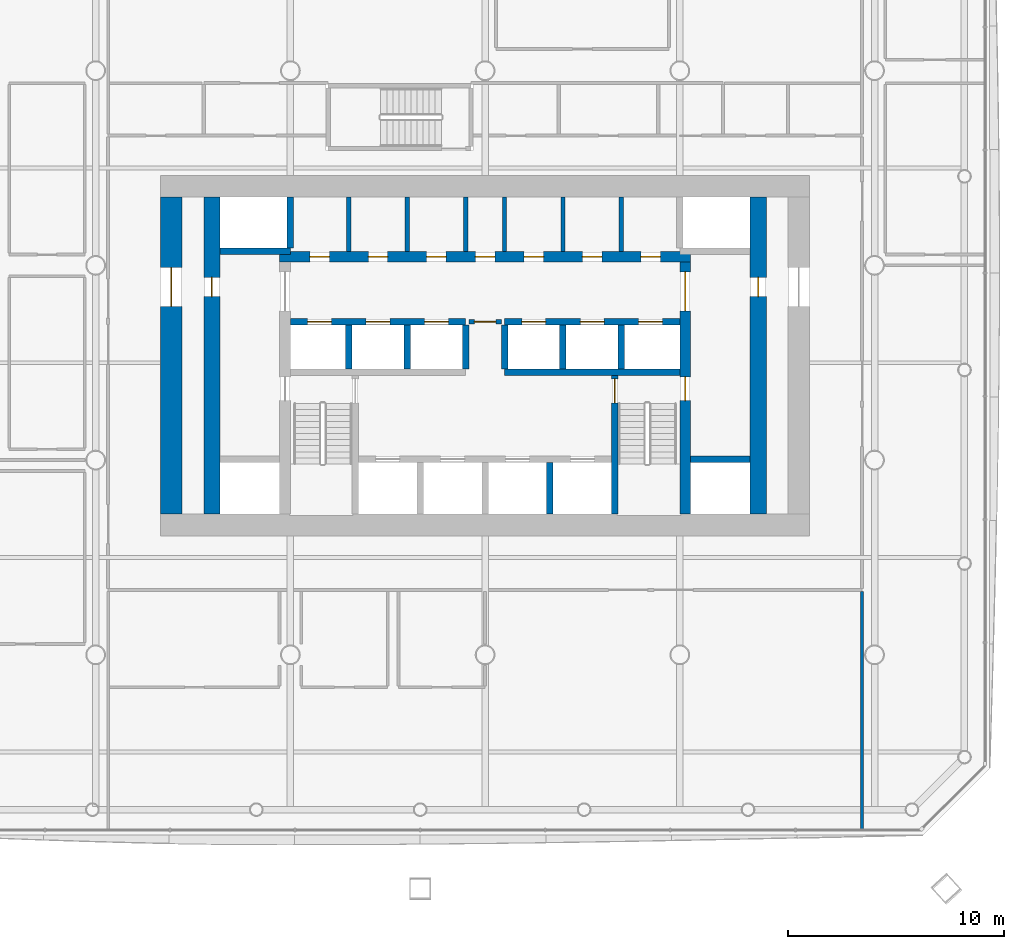
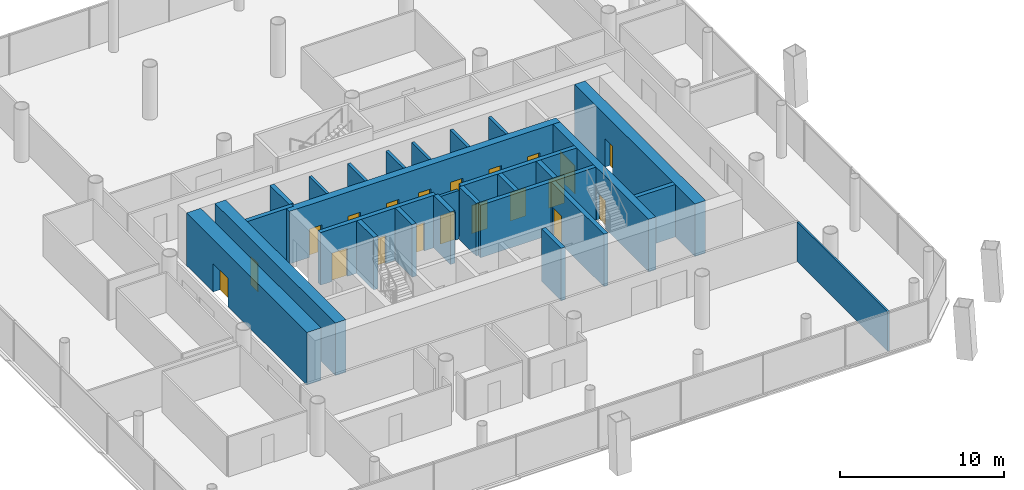
# One storey, part 13 of 20: 27 walls, 20 doors, 20 openings.
"""IFC4 building model written with IfcOpenShell, lengths in metres."""

from ifc_helpers import new_model, si_unit, direction, frame, frame_2d, origin, place, context, subcontext, project, spatial, rectangle, extrude, material, layer, layer_set, type_object, element, fill, save


model = new_model("IFC4")

# Units and contexts
model_context = context("Model", 3, precision=1e-05, world=origin(), true_north=direction((0.0, 1.0)))
body_context = subcontext(model_context, "Body", "Model", "MODEL_VIEW")
ifc_project = project(units=[si_unit("LENGTHUNIT", "METRE"), si_unit("AREAUNIT", "SQUARE_METRE"), si_unit("VOLUMEUNIT", "CUBIC_METRE"), si_unit("PLANEANGLEUNIT", "RADIAN"), si_unit("MASSUNIT", "GRAM", prefix="KILO")], contexts=[model_context])

# Site, building, storey
site_placement = place(None, origin())
site = spatial("IfcSite", under=ifc_project, at=site_placement, CompositionType="ELEMENT")
building_placement = place(site_placement, origin())
building = spatial("IfcBuilding", under=site, at=building_placement, Name="Tskaro Facet Tower", CompositionType="ELEMENT")
storey_placement = place(building_placement, frame((0.0, 0.0, 53.699951171875)))
storey = spatial("IfcBuildingStorey", under=building, at=storey_placement, Name="L12", CompositionType="ELEMENT", Elevation=53.699951171875)

# Walls
ifc_material_1 = material(Name="Concrete C60/75", Category="concrete")
ifc_layer_1 = layer(ifc_material_1, 0.300048828125, Name="Concrete C60/75")
ifc_layer_set_1 = layer_set([ifc_layer_1], Name="Concrete C60/75")
wall_type_1 = type_object("IfcWallType", Name="CORE-SHAFT", PredefinedType="SHEAR", material=ifc_layer_set_1)
wall_1_placement = place(storey_placement, frame((9.5, -8.949951171875, 0.0), z_axis=(0.0, 0.0, 1.0), x_axis=(1.0, 0.0, 0.0)))
element("IfcWall", 1, at=wall_1_placement, inside=storey, type_object=wall_type_1, Name="Shaft wall W010", PredefinedType="SHEAR", context=body_context, shape_type="SweptSolid", body=[
    extrude(rectangle(XDim=2.75, YDim=0.300048828125, at=frame_2d((1.375, 0.0))), origin(), (0.0, 0.0, 1.0), 3.900146484375),
])
wall_2_placement = place(storey_placement, frame((0.89990234375, -4.949951171875, 0.0), z_axis=(0.0, 0.0, 1.0), x_axis=(1.0, 0.0, 0.0)))
element("IfcWall", 2, at=wall_2_placement, inside=storey, type_object=wall_type_1, Name="Shaft wall W013", PredefinedType="SHEAR", context=body_context, shape_type="SweptSolid", body=[
    extrude(rectangle(XDim=8.10009765625, YDim=0.300048828125, at=frame_2d((4.050048828125, 0.0))), origin(), (0.0, 0.0, 1.0), 3.900146484375),
])

# Wall, openings, doors
wall_3_placement = place(storey_placement, frame((-9.0, -2.60009765625, 0.0), z_axis=(0.0, 0.0, 1.0), x_axis=(1.0, 0.0, 0.0)))
wall_3 = element("IfcWall", 3, at=wall_3_placement, inside=storey, type_object=wall_type_1, Name="Shaft wall W014", PredefinedType="SHEAR", context=body_context, shape_type="SweptSolid", body=[
    extrude(rectangle(XDim=8.10009765625, YDim=0.300048828125, at=frame_2d((4.050048828125, 0.0))), origin(), (0.0, 0.0, 1.0), 3.900146484375),
])
opening_1_placement = place(wall_3_placement, frame((0.800048828125, 0.0, 0.0)))
opening_1 = element("IfcOpeningElement", 4, at=opening_1_placement, cuts=wall_3, Name="Opening LD-LR1", PredefinedType="OPENING", context=body_context, shape_type="SweptSolid", body=[
    extrude(rectangle(XDim=1.10009765625, YDim=2.10009765625, at=frame_2d((0.550048828125, 1.050048828125))), frame((0.0, 0.159912109375, 0.0), z_axis=(0.0, -1.0, 0.0), x_axis=(1.0, 0.0, 0.0)), (0.0, 0.0, 1.0), 0.320068359375),
])
opening_2_placement = place(wall_3_placement, frame((3.5, 0.0, 0.0)))
opening_2 = element("IfcOpeningElement", 5, at=opening_2_placement, cuts=wall_3, Name="Opening LD-LR2", PredefinedType="OPENING", context=body_context, shape_type="SweptSolid", body=[
    extrude(rectangle(XDim=1.10009765625, YDim=2.10009765625, at=frame_2d((0.550048828125, 1.050048828125))), frame((0.0, 0.159912109375, 0.0), z_axis=(0.0, -1.0, 0.0), x_axis=(1.0, 0.0, 0.0)), (0.0, 0.0, 1.0), 0.320068359375),
])
opening_3_placement = place(wall_3_placement, frame((6.199951171875, 0.0, 0.0)))
opening_3 = element("IfcOpeningElement", 6, at=opening_3_placement, cuts=wall_3, Name="Opening LD-LR3", PredefinedType="OPENING", context=body_context, shape_type="SweptSolid", body=[
    extrude(rectangle(XDim=1.10009765625, YDim=2.10009765625, at=frame_2d((0.550048828125, 1.050048828125))), frame((0.0, 0.159912109375, 0.0), z_axis=(0.0, -1.0, 0.0), x_axis=(1.0, 0.0, 0.0)), (0.0, 0.0, 1.0), 0.320068359375),
])
ifc_material_2 = material(Name="Stainless steel", Category="steel")
door_type_1 = type_object("IfcDoorType", Name="D-LANDING", OperationType="NOTDEFINED", PredefinedType="DOOR", material=ifc_material_2)
door_1_placement = place(opening_1_placement, origin())
door_1 = element("IfcDoor", 7, at=door_1_placement, inside=storey, type_object=door_type_1, Name="Landing door LR1", OperationType="DOUBLE_DOOR_SLIDING", OverallHeight=2.10009765625, OverallWidth=1.10009765625, PredefinedType="DOOR", context=body_context, shape_type="SweptSolid", body=[
    extrude(rectangle(XDim=1.10009765625, YDim=2.10009765625, at=frame_2d((0.550048828125, 1.050048828125))), frame((0.0, 0.02490234375, 0.0), z_axis=(0.0, -1.0, 0.0), x_axis=(1.0, 0.0, 0.0)), (0.0, 0.0, 1.0), 0.050048828125),
])
fill(opening_1, door_1)
door_2_placement = place(opening_2_placement, origin())
door_2 = element("IfcDoor", 8, at=door_2_placement, inside=storey, type_object=door_type_1, Name="Landing door LR2", OperationType="DOUBLE_DOOR_SLIDING", OverallHeight=2.10009765625, OverallWidth=1.10009765625, PredefinedType="DOOR", context=body_context, shape_type="SweptSolid", body=[
    extrude(rectangle(XDim=1.10009765625, YDim=2.10009765625, at=frame_2d((0.550048828125, 1.050048828125))), frame((0.0, 0.02490234375, 0.0), z_axis=(0.0, -1.0, 0.0), x_axis=(1.0, 0.0, 0.0)), (0.0, 0.0, 1.0), 0.050048828125),
])
fill(opening_2, door_2)
door_3_placement = place(opening_3_placement, origin())
door_3 = element("IfcDoor", 9, at=door_3_placement, inside=storey, type_object=door_type_1, Name="Landing door LR3", OperationType="DOUBLE_DOOR_SLIDING", OverallHeight=2.10009765625, OverallWidth=1.10009765625, PredefinedType="DOOR", context=body_context, shape_type="SweptSolid", body=[
    extrude(rectangle(XDim=1.10009765625, YDim=2.10009765625, at=frame_2d((0.550048828125, 1.050048828125))), frame((0.0, 0.02490234375, 0.0), z_axis=(0.0, -1.0, 0.0), x_axis=(1.0, 0.0, 0.0)), (0.0, 0.0, 1.0), 0.050048828125),
])
fill(opening_3, door_3)

wall_4_placement = place(storey_placement, frame((0.89990234375, -2.60009765625, 0.0), z_axis=(0.0, 0.0, 1.0), x_axis=(1.0, 0.0, 0.0)))
wall_4 = element("IfcWall", 10, at=wall_4_placement, inside=storey, type_object=wall_type_1, Name="Shaft wall W016", PredefinedType="SHEAR", context=body_context, shape_type="SweptSolid", body=[
    extrude(rectangle(XDim=8.10009765625, YDim=0.300048828125, at=frame_2d((4.050048828125, 0.0))), origin(), (0.0, 0.0, 1.0), 3.900146484375),
])
opening_4_placement = place(wall_4_placement, frame((0.800048828125, 0.0, 0.0)))
opening_4 = element("IfcOpeningElement", 11, at=opening_4_placement, cuts=wall_4, Name="Opening LD-LR4", PredefinedType="OPENING", context=body_context, shape_type="SweptSolid", body=[
    extrude(rectangle(XDim=1.10009765625, YDim=2.10009765625, at=frame_2d((0.550048828125, 1.050048828125))), frame((0.0, 0.159912109375, 0.0), z_axis=(0.0, -1.0, 0.0), x_axis=(1.0, 0.0, 0.0)), (0.0, 0.0, 1.0), 0.320068359375),
])
opening_5_placement = place(wall_4_placement, frame((3.5, 0.0, 0.0)))
opening_5 = element("IfcOpeningElement", 12, at=opening_5_placement, cuts=wall_4, Name="Opening LD-LR5", PredefinedType="OPENING", context=body_context, shape_type="SweptSolid", body=[
    extrude(rectangle(XDim=1.10009765625, YDim=2.10009765625, at=frame_2d((0.550048828125, 1.050048828125))), frame((0.0, 0.159912109375, 0.0), z_axis=(0.0, -1.0, 0.0), x_axis=(1.0, 0.0, 0.0)), (0.0, 0.0, 1.0), 0.320068359375),
])
opening_6_placement = place(wall_4_placement, frame((6.199951171875, 0.0, 0.0)))
opening_6 = element("IfcOpeningElement", 13, at=opening_6_placement, cuts=wall_4, Name="Opening LD-LR6", PredefinedType="OPENING", context=body_context, shape_type="SweptSolid", body=[
    extrude(rectangle(XDim=1.10009765625, YDim=2.10009765625, at=frame_2d((0.550048828125, 1.050048828125))), frame((0.0, 0.159912109375, 0.0), z_axis=(0.0, -1.0, 0.0), x_axis=(1.0, 0.0, 0.0)), (0.0, 0.0, 1.0), 0.320068359375),
])
door_4_placement = place(opening_4_placement, origin())
door_4 = element("IfcDoor", 14, at=door_4_placement, inside=storey, type_object=door_type_1, Name="Landing door LR4", OperationType="DOUBLE_DOOR_SLIDING", OverallHeight=2.10009765625, OverallWidth=1.10009765625, PredefinedType="DOOR", context=body_context, shape_type="SweptSolid", body=[
    extrude(rectangle(XDim=1.10009765625, YDim=2.10009765625, at=frame_2d((0.550048828125, 1.050048828125))), frame((0.0, 0.02490234375, 0.0), z_axis=(0.0, -1.0, 0.0), x_axis=(1.0, 0.0, 0.0)), (0.0, 0.0, 1.0), 0.050048828125),
])
fill(opening_4, door_4)
door_5_placement = place(opening_5_placement, origin())
door_5 = element("IfcDoor", 15, at=door_5_placement, inside=storey, type_object=door_type_1, Name="Landing door LR5", OperationType="DOUBLE_DOOR_SLIDING", OverallHeight=2.10009765625, OverallWidth=1.10009765625, PredefinedType="DOOR", context=body_context, shape_type="SweptSolid", body=[
    extrude(rectangle(XDim=1.10009765625, YDim=2.10009765625, at=frame_2d((0.550048828125, 1.050048828125))), frame((0.0, 0.02490234375, 0.0), z_axis=(0.0, -1.0, 0.0), x_axis=(1.0, 0.0, 0.0)), (0.0, 0.0, 1.0), 0.050048828125),
])
fill(opening_5, door_5)
door_6_placement = place(opening_6_placement, origin())
door_6 = element("IfcDoor", 16, at=door_6_placement, inside=storey, type_object=door_type_1, Name="Landing door LR6", OperationType="DOUBLE_DOOR_SLIDING", OverallHeight=2.10009765625, OverallWidth=1.10009765625, PredefinedType="DOOR", context=body_context, shape_type="SweptSolid", body=[
    extrude(rectangle(XDim=1.10009765625, YDim=2.10009765625, at=frame_2d((0.550048828125, 1.050048828125))), frame((0.0, 0.02490234375, 0.0), z_axis=(0.0, -1.0, 0.0), x_axis=(1.0, 0.0, 0.0)), (0.0, 0.0, 1.0), 0.050048828125),
])
fill(opening_6, door_6)

# Walls
wall_5_placement = place(storey_placement, frame((-9.0, 0.64990234375, 0.0), z_axis=(0.0, 0.0, 1.0), x_axis=(-1.0, 0.0, 0.0)))
element("IfcWall", 17, at=wall_5_placement, inside=storey, type_object=wall_type_1, Name="Shaft wall W021", PredefinedType="SHEAR", context=body_context, shape_type="SweptSolid", body=[
    extrude(rectangle(XDim=3.25, YDim=0.300048828125, at=frame_2d((1.625, 0.0))), origin(), (0.0, 0.0, 1.0), 3.900146484375),
])
wall_6_placement = place(storey_placement, frame((-9.0, 0.800048828125, 0.0), z_axis=(0.0, 0.0, 1.0), x_axis=(0.0, 1.0, 0.0)))
element("IfcWall", 18, at=wall_6_placement, inside=storey, type_object=wall_type_1, Name="Shaft wall W049", PredefinedType="SHEAR", context=body_context, shape_type="SweptSolid", body=[
    extrude(rectangle(XDim=2.349853515625, YDim=0.300048828125, at=frame_2d((1.1748046875, 0.0))), origin(), (0.0, 0.0, 1.0), 3.900146484375),
])
for number, where, z_axis, x_axis, name in (
    (19, (-6.300048828125, -4.800048828125, 0.0), (0.0, 0.0, 1.0), (0.0, 1.0, 0.0), "Shaft wall W053"),
    (20, (-3.60009765625, -4.800048828125, 0.0), (0.0, 0.0, 1.0), (0.0, 1.0, 0.0), "Shaft wall W058"),
    (21, (-0.89990234375, -4.800048828125, 0.0), (0.0, 0.0, 1.0), (0.0, 1.0, 0.0), "Shaft wall W061"),
    (22, (0.89990234375, -4.800048828125, 0.0), (0.0, 0.0, 1.0), (0.0, 1.0, 0.0), "Shaft wall W068"),
):
    element("IfcWall", number, at=place(storey_placement, frame(where, z_axis=z_axis, x_axis=x_axis)), inside=storey, type_object=wall_type_1, Name=name, PredefinedType="SHEAR", context=body_context, shape_type="SweptSolid", body=[
        extrude(rectangle(XDim=2.050048828125, YDim=0.300048828125, at=frame_2d((1.02490234375, 0.0))), origin(), (0.0, 0.0, 1.0), 3.900146484375),
    ])
wall_7_placement = place(storey_placement, frame((3.0, -11.5, 0.0), z_axis=(0.0, 0.0, 1.0), x_axis=(0.0, 1.0, 0.0)))
element("IfcWall", 23, at=wall_7_placement, inside=storey, type_object=wall_type_1, Name="Shaft wall W070", PredefinedType="SHEAR", context=body_context, shape_type="SweptSolid", body=[
    extrude(rectangle(XDim=2.39990234375, YDim=0.300048828125, at=frame_2d((1.199951171875, 0.0))), origin(), (0.0, 0.0, 1.0), 3.900146484375),
])
wall_8_placement = place(storey_placement, frame((3.60009765625, -4.800048828125, 0.0), z_axis=(0.0, 0.0, 1.0), x_axis=(0.0, 1.0, 0.0)))
element("IfcWall", 24, at=wall_8_placement, inside=storey, type_object=wall_type_1, Name="Shaft wall W072", PredefinedType="SHEAR", context=body_context, shape_type="SweptSolid", body=[
    extrude(rectangle(XDim=2.050048828125, YDim=0.300048828125, at=frame_2d((1.02490234375, 0.0))), origin(), (0.0, 0.0, 1.0), 3.900146484375),
])

# Wall, opening, door
wall_9_placement = place(storey_placement, frame((6.0, -5.10009765625, 0.0), z_axis=(0.0, 0.0, 1.0), x_axis=(0.0, -1.0, 0.0)))
wall_9 = element("IfcWall", 25, at=wall_9_placement, inside=storey, type_object=wall_type_1, Name="Shaft wall W074", PredefinedType="SHEAR", context=body_context, shape_type="SweptSolid", body=[
    extrude(rectangle(XDim=6.39990234375, YDim=0.300048828125, at=frame_2d((3.199951171875, 0.0))), origin(), (0.0, 0.0, 1.0), 3.900146484375),
])
opening_7_placement = place(wall_9_placement, frame((0.14990234375, 0.0, 0.0)))
opening_7 = element("IfcOpeningElement", 26, at=opening_7_placement, cuts=wall_9, Name="Opening ST-2-D1", PredefinedType="OPENING", context=body_context, shape_type="SweptSolid", body=[
    extrude(rectangle(XDim=1.10009765625, YDim=2.10009765625, at=frame_2d((0.550048828125, 1.050048828125))), frame((0.0, 0.159912109375, 0.0), z_axis=(0.0, -1.0, 0.0), x_axis=(1.0, 0.0, 0.0)), (0.0, 0.0, 1.0), 0.320068359375),
])
ifc_material_3 = material(Name="Steel", Category="steel")
door_type_2 = type_object("IfcDoorType", Name="D-STAIR", OperationType="NOTDEFINED", PredefinedType="DOOR", material=ifc_material_3)
door_7_placement = place(opening_7_placement, origin())
door_7 = element("IfcDoor", 27, at=door_7_placement, inside=storey, type_object=door_type_2, Name="Stair door 2", OperationType="SINGLE_SWING_RIGHT", OverallHeight=2.10009765625, OverallWidth=1.10009765625, PredefinedType="DOOR", context=body_context, shape_type="SweptSolid", body=[
    extrude(rectangle(XDim=1.10009765625, YDim=2.10009765625, at=frame_2d((0.550048828125, 1.050048828125))), frame((0.0, 0.02490234375, 0.0), z_axis=(0.0, -1.0, 0.0), x_axis=(1.0, 0.0, 0.0)), (0.0, 0.0, 1.0), 0.050048828125),
])
fill(opening_7, door_7)

# Wall
wall_10_placement = place(storey_placement, frame((6.300048828125, -4.800048828125, 0.0), z_axis=(0.0, 0.0, 1.0), x_axis=(0.0, 1.0, 0.0)))
element("IfcWall", 28, at=wall_10_placement, inside=storey, type_object=wall_type_1, Name="Shaft wall W075", PredefinedType="SHEAR", context=body_context, shape_type="SweptSolid", body=[
    extrude(rectangle(XDim=2.050048828125, YDim=0.300048828125, at=frame_2d((1.02490234375, 0.0))), origin(), (0.0, 0.0, 1.0), 3.900146484375),
])

# Wall, opening, door
ifc_material_4 = material(Name="Concrete C20/25", Category="concrete")
ifc_layer_2 = layer(ifc_material_4, 0.199951171875, Name="Concrete C20/25")
ifc_layer_set_2 = layer_set([ifc_layer_2], Name="Concrete C20/25")
wall_type_2 = type_object("IfcWallType", Name="CORE-WALL", PredefinedType="SOLIDWALL", material=ifc_layer_set_2)
wall_11_placement = place(storey_placement, frame((0.75, -2.60009765625, 0.0), z_axis=(0.0, 0.0, 1.0), x_axis=(-1.0, 0.0, 0.0)))
wall_11 = element("IfcWall", 29, at=wall_11_placement, inside=storey, type_object=wall_type_2, Name="Core room wall W015", PredefinedType="SOLIDWALL", context=body_context, shape_type="SweptSolid", body=[
    extrude(rectangle(XDim=1.5, YDim=0.199951171875, at=frame_2d((0.75, 0.0))), origin(), (0.0, 0.0, 1.0), 3.60009765625),
])
opening_8_placement = place(wall_11_placement, frame((0.25, 0.0, 0.0)))
opening_8 = element("IfcOpeningElement", 30, at=opening_8_placement, cuts=wall_11, Name="Opening FL-D1", PredefinedType="OPENING", context=body_context, shape_type="SweptSolid", body=[
    extrude(rectangle(XDim=1.0, YDim=2.10009765625, at=frame_2d((0.5, 1.050048828125))), frame((0.0, 0.10986328125, 0.0), z_axis=(0.0, -1.0, 0.0), x_axis=(1.0, 0.0, 0.0)), (0.0, 0.0, 1.0), 0.219970703125),
])
door_type_3 = type_object("IfcDoorType", Name="D-LOBBY", OperationType="NOTDEFINED", PredefinedType="DOOR", material=ifc_material_3)
door_8_placement = place(opening_8_placement, origin())
door_8 = element("IfcDoor", 31, at=door_8_placement, inside=storey, type_object=door_type_3, Name="Lobby door FL", OperationType="SINGLE_SWING_RIGHT", OverallHeight=2.10009765625, OverallWidth=1.0, PredefinedType="DOOR", context=body_context, shape_type="SweptSolid", body=[
    extrude(rectangle(XDim=1.0, YDim=2.10009765625, at=frame_2d((0.5, 1.050048828125))), frame((0.0, 0.02490234375, 0.0), z_axis=(0.0, -1.0, 0.0), x_axis=(1.0, 0.0, 0.0)), (0.0, 0.0, 1.0), 0.050048828125),
])
fill(opening_8, door_8)

# Walls
for number, where, z_axis, x_axis, name in (
    (32, (-6.300048828125, 0.64990234375, 0.0), (0.0, 0.0, 1.0), (0.0, 1.0, 0.0), "Core room wall W054"),
    (33, (-3.60009765625, 0.64990234375, 0.0), (0.0, 0.0, 1.0), (0.0, 1.0, 0.0), "Core room wall W059"),
    (34, (-0.89990234375, 0.64990234375, 0.0), (0.0, 0.0, 1.0), (0.0, 1.0, 0.0), "Core room wall W062"),
    (35, (0.89990234375, 0.64990234375, 0.0), (0.0, 0.0, 1.0), (0.0, 1.0, 0.0), "Core room wall W069"),
    (36, (3.60009765625, 0.64990234375, 0.0), (0.0, 0.0, 1.0), (0.0, 1.0, 0.0), "Core room wall W073"),
    (37, (6.300048828125, 0.64990234375, 0.0), (0.0, 0.0, 1.0), (0.0, 1.0, 0.0), "Core room wall W076"),
):
    element("IfcWall", number, at=place(storey_placement, frame(where, z_axis=z_axis, x_axis=x_axis)), inside=storey, type_object=wall_type_2, Name=name, PredefinedType="SOLIDWALL", context=body_context, shape_type="SweptSolid", body=[
        extrude(rectangle(XDim=2.5, YDim=0.199951171875, at=frame_2d((1.25, 0.0))), origin(), (0.0, 0.0, 1.0), 3.60009765625),
    ])

# Wall, opening, door
ifc_layer_3 = layer(ifc_material_1, 1.0, Name="Concrete C60/75")
ifc_layer_set_3 = layer_set([ifc_layer_3], Name="Concrete C60/75")
wall_type_3 = type_object("IfcWallType", Name="Core wall 1000", PredefinedType="SHEAR", material=ifc_layer_set_3)
wall_12_placement = place(storey_placement, frame((-14.5, -11.5, 0.0), z_axis=(0.0, 0.0, 1.0), x_axis=(0.0, 1.0, 0.0)))
wall_12 = element("IfcWall", 38, at=wall_12_placement, inside=storey, type_object=wall_type_3, Name="Core wall CW-Z1W", PredefinedType="SHEAR", context=body_context, shape_type="SweptSolid", body=[
    extrude(rectangle(XDim=14.64990234375, YDim=1.0, at=frame_2d((7.324951171875, 0.0))), origin(), (0.0, 0.0, 1.0), 3.900146484375),
])
opening_9_placement = place(wall_12_placement, frame((9.60009765625, 0.0, 0.0)))
opening_9 = element("IfcOpeningElement", 39, at=opening_9_placement, cuts=wall_12, Name="Opening T3-D17", PredefinedType="OPENING", context=body_context, shape_type="SweptSolid", body=[
    extrude(rectangle(XDim=1.800048828125, YDim=2.10009765625, at=frame_2d((0.89990234375, 1.050048828125))), frame((0.0, 0.510009765625, 0.0), z_axis=(0.0, -1.0, 0.0), x_axis=(1.0, 0.0, 0.0)), (0.0, 0.0, 1.0), 1.02001953125),
])
door_type_4 = type_object("IfcDoorType", Name="D-CORE-PAIR", OperationType="NOTDEFINED", PredefinedType="DOOR", material=ifc_material_3)
door_9_placement = place(opening_9_placement, origin())
door_9 = element("IfcDoor", 40, at=door_9_placement, inside=storey, type_object=door_type_4, Name="Door T3-D17", OperationType="DOUBLE_DOOR_SINGLE_SWING", OverallHeight=2.10009765625, OverallWidth=1.800048828125, PredefinedType="DOOR", context=body_context, shape_type="SweptSolid", body=[
    extrude(rectangle(XDim=1.800048828125, YDim=2.10009765625, at=frame_2d((0.89990234375, 1.050048828125))), frame((0.0, 0.02490234375, 0.0), z_axis=(0.0, -1.0, 0.0), x_axis=(1.0, 0.0, 0.0)), (0.0, 0.0, 1.0), 0.050048828125),
])
fill(opening_9, door_9)

# Wall, openings, doors
ifc_material_5 = material(Name="Concrete C40/50", Category="concrete")
ifc_layer_4 = layer(ifc_material_5, 0.5, Name="Concrete C40/50")
ifc_layer_set_4 = layer_set([ifc_layer_4], Name="Concrete C40/50")
wall_type_4 = type_object("IfcWallType", Name="Core wall 500", PredefinedType="SHEAR", material=ifc_layer_set_4)
wall_13_placement = place(storey_placement, frame((-9.5, 0.39990234375, 0.0), z_axis=(0.0, 0.0, 1.0), x_axis=(1.0, 0.0, 0.0)))
wall_13 = element("IfcWall", 41, at=wall_13_placement, inside=storey, type_object=wall_type_4, Name="Core wall CW-Z3N", PredefinedType="SHEAR", context=body_context, shape_type="SweptSolid", body=[
    extrude(rectangle(XDim=19.0, YDim=0.5, at=frame_2d((9.5, 0.0))), origin(), (0.0, 0.0, 1.0), 3.900146484375),
])
opening_10_placement = place(wall_13_placement, frame((1.39990234375, 0.0, 0.0)))
opening_10 = element("IfcOpeningElement", 42, at=opening_10_placement, cuts=wall_13, Name="Opening T3-D21", PredefinedType="OPENING", context=body_context, shape_type="SweptSolid", body=[
    extrude(rectangle(XDim=0.89990234375, YDim=2.10009765625, at=frame_2d((0.449951171875, 1.050048828125))), frame((0.0, 0.260009765625, 0.0), z_axis=(0.0, -1.0, 0.0), x_axis=(1.0, 0.0, 0.0)), (0.0, 0.0, 1.0), 0.52001953125),
])
opening_11_placement = place(wall_13_placement, frame((4.10009765625, 0.0, 0.0)))
opening_11 = element("IfcOpeningElement", 43, at=opening_11_placement, cuts=wall_13, Name="Opening T3-D22", PredefinedType="OPENING", context=body_context, shape_type="SweptSolid", body=[
    extrude(rectangle(XDim=0.89990234375, YDim=2.10009765625, at=frame_2d((0.449951171875, 1.050048828125))), frame((0.0, 0.260009765625, 0.0), z_axis=(0.0, -1.0, 0.0), x_axis=(1.0, 0.0, 0.0)), (0.0, 0.0, 1.0), 0.52001953125),
])
opening_12_placement = place(wall_13_placement, frame((6.800048828125, 0.0, 0.0)))
opening_12 = element("IfcOpeningElement", 44, at=opening_12_placement, cuts=wall_13, Name="Opening T3-D23", PredefinedType="OPENING", context=body_context, shape_type="SweptSolid", body=[
    extrude(rectangle(XDim=0.89990234375, YDim=2.10009765625, at=frame_2d((0.449951171875, 1.050048828125))), frame((0.0, 0.260009765625, 0.0), z_axis=(0.0, -1.0, 0.0), x_axis=(1.0, 0.0, 0.0)), (0.0, 0.0, 1.0), 0.52001953125),
])
opening_13_placement = place(wall_13_placement, frame((11.300048828125, 0.0, 0.0)))
opening_13 = element("IfcOpeningElement", 45, at=opening_13_placement, cuts=wall_13, Name="Opening T3-D25", PredefinedType="OPENING", context=body_context, shape_type="SweptSolid", body=[
    extrude(rectangle(XDim=0.89990234375, YDim=2.10009765625, at=frame_2d((0.449951171875, 1.050048828125))), frame((0.0, 0.260009765625, 0.0), z_axis=(0.0, -1.0, 0.0), x_axis=(1.0, 0.0, 0.0)), (0.0, 0.0, 1.0), 0.52001953125),
])
opening_14_placement = place(wall_13_placement, frame((14.0, 0.0, 0.0)))
opening_14 = element("IfcOpeningElement", 46, at=opening_14_placement, cuts=wall_13, Name="Opening T3-D26", PredefinedType="OPENING", context=body_context, shape_type="SweptSolid", body=[
    extrude(rectangle(XDim=0.89990234375, YDim=2.10009765625, at=frame_2d((0.449951171875, 1.050048828125))), frame((0.0, 0.260009765625, 0.0), z_axis=(0.0, -1.0, 0.0), x_axis=(1.0, 0.0, 0.0)), (0.0, 0.0, 1.0), 0.52001953125),
])
opening_15_placement = place(wall_13_placement, frame((16.699951171875, 0.0, 0.0)))
opening_15 = element("IfcOpeningElement", 47, at=opening_15_placement, cuts=wall_13, Name="Opening T3-D27", PredefinedType="OPENING", context=body_context, shape_type="SweptSolid", body=[
    extrude(rectangle(XDim=0.89990234375, YDim=2.10009765625, at=frame_2d((0.449951171875, 1.050048828125))), frame((0.0, 0.260009765625, 0.0), z_axis=(0.0, -1.0, 0.0), x_axis=(1.0, 0.0, 0.0)), (0.0, 0.0, 1.0), 0.52001953125),
])
opening_16_placement = place(wall_13_placement, frame((9.050048828125, 0.0, 0.0)))
opening_16 = element("IfcOpeningElement", 48, at=opening_16_placement, cuts=wall_13, Name="Opening T3-D24", PredefinedType="OPENING", context=body_context, shape_type="SweptSolid", body=[
    extrude(rectangle(XDim=0.89990234375, YDim=2.10009765625, at=frame_2d((0.449951171875, 1.050048828125))), frame((0.0, 0.260009765625, 0.0), z_axis=(0.0, -1.0, 0.0), x_axis=(1.0, 0.0, 0.0)), (0.0, 0.0, 1.0), 0.52001953125),
])
door_type_5 = type_object("IfcDoorType", Name="D-RISER", OperationType="NOTDEFINED", PredefinedType="DOOR", material=ifc_material_3)
door_10_placement = place(opening_16_placement, origin())
door_10 = element("IfcDoor", 49, at=door_10_placement, inside=storey, type_object=door_type_5, Name="Door T3-D24", OperationType="SINGLE_SWING_LEFT", OverallHeight=2.10009765625, OverallWidth=0.89990234375, PredefinedType="DOOR", context=body_context, shape_type="SweptSolid", body=[
    extrude(rectangle(XDim=0.89990234375, YDim=2.10009765625, at=frame_2d((0.449951171875, 1.050048828125))), frame((0.0, 0.02490234375, 0.0), z_axis=(0.0, -1.0, 0.0), x_axis=(1.0, 0.0, 0.0)), (0.0, 0.0, 1.0), 0.050048828125),
])
fill(opening_16, door_10)
ifc_material_6 = material(Name="Timber", Category="wood")
door_type_6 = type_object("IfcDoorType", Name="D-ROOM", OperationType="NOTDEFINED", PredefinedType="DOOR", material=ifc_material_6)
door_11_placement = place(opening_10_placement, origin())
door_11 = element("IfcDoor", 50, at=door_11_placement, inside=storey, type_object=door_type_6, Name="Door T3-D21", OperationType="SINGLE_SWING_LEFT", OverallHeight=2.10009765625, OverallWidth=0.89990234375, PredefinedType="DOOR", context=body_context, shape_type="SweptSolid", body=[
    extrude(rectangle(XDim=0.89990234375, YDim=2.10009765625, at=frame_2d((0.449951171875, 1.050048828125))), frame((0.0, 0.02490234375, 0.0), z_axis=(0.0, -1.0, 0.0), x_axis=(1.0, 0.0, 0.0)), (0.0, 0.0, 1.0), 0.050048828125),
])
fill(opening_10, door_11)
door_12_placement = place(opening_11_placement, origin())
door_12 = element("IfcDoor", 51, at=door_12_placement, inside=storey, type_object=door_type_6, Name="Door T3-D22", OperationType="SINGLE_SWING_LEFT", OverallHeight=2.10009765625, OverallWidth=0.89990234375, PredefinedType="DOOR", context=body_context, shape_type="SweptSolid", body=[
    extrude(rectangle(XDim=0.89990234375, YDim=2.10009765625, at=frame_2d((0.449951171875, 1.050048828125))), frame((0.0, 0.02490234375, 0.0), z_axis=(0.0, -1.0, 0.0), x_axis=(1.0, 0.0, 0.0)), (0.0, 0.0, 1.0), 0.050048828125),
])
fill(opening_11, door_12)
door_13_placement = place(opening_12_placement, origin())
door_13 = element("IfcDoor", 52, at=door_13_placement, inside=storey, type_object=door_type_6, Name="Door T3-D23", OperationType="SINGLE_SWING_LEFT", OverallHeight=2.10009765625, OverallWidth=0.89990234375, PredefinedType="DOOR", context=body_context, shape_type="SweptSolid", body=[
    extrude(rectangle(XDim=0.89990234375, YDim=2.10009765625, at=frame_2d((0.449951171875, 1.050048828125))), frame((0.0, 0.02490234375, 0.0), z_axis=(0.0, -1.0, 0.0), x_axis=(1.0, 0.0, 0.0)), (0.0, 0.0, 1.0), 0.050048828125),
])
fill(opening_12, door_13)
door_14_placement = place(opening_13_placement, origin())
door_14 = element("IfcDoor", 53, at=door_14_placement, inside=storey, type_object=door_type_6, Name="Door T3-D25", OperationType="SINGLE_SWING_LEFT", OverallHeight=2.10009765625, OverallWidth=0.89990234375, PredefinedType="DOOR", context=body_context, shape_type="SweptSolid", body=[
    extrude(rectangle(XDim=0.89990234375, YDim=2.10009765625, at=frame_2d((0.449951171875, 1.050048828125))), frame((0.0, 0.02490234375, 0.0), z_axis=(0.0, -1.0, 0.0), x_axis=(1.0, 0.0, 0.0)), (0.0, 0.0, 1.0), 0.050048828125),
])
fill(opening_13, door_14)
door_15_placement = place(opening_14_placement, origin())
door_15 = element("IfcDoor", 54, at=door_15_placement, inside=storey, type_object=door_type_6, Name="Door T3-D26", OperationType="SINGLE_SWING_LEFT", OverallHeight=2.10009765625, OverallWidth=0.89990234375, PredefinedType="DOOR", context=body_context, shape_type="SweptSolid", body=[
    extrude(rectangle(XDim=0.89990234375, YDim=2.10009765625, at=frame_2d((0.449951171875, 1.050048828125))), frame((0.0, 0.02490234375, 0.0), z_axis=(0.0, -1.0, 0.0), x_axis=(1.0, 0.0, 0.0)), (0.0, 0.0, 1.0), 0.050048828125),
])
fill(opening_14, door_15)
door_16_placement = place(opening_15_placement, origin())
door_16 = element("IfcDoor", 55, at=door_16_placement, inside=storey, type_object=door_type_6, Name="Door T3-D27", OperationType="SINGLE_SWING_LEFT", OverallHeight=2.10009765625, OverallWidth=0.89990234375, PredefinedType="DOOR", context=body_context, shape_type="SweptSolid", body=[
    extrude(rectangle(XDim=0.89990234375, YDim=2.10009765625, at=frame_2d((0.449951171875, 1.050048828125))), frame((0.0, 0.02490234375, 0.0), z_axis=(0.0, -1.0, 0.0), x_axis=(1.0, 0.0, 0.0)), (0.0, 0.0, 1.0), 0.050048828125),
])
fill(opening_15, door_16)

wall_14_placement = place(storey_placement, frame((9.25, -11.5, 0.0), z_axis=(0.0, 0.0, 1.0), x_axis=(0.0, 1.0, 0.0)))
wall_14 = element("IfcWall", 56, at=wall_14_placement, inside=storey, type_object=wall_type_4, Name="Core wall CW-Z3E", PredefinedType="SHEAR", context=body_context, shape_type="SweptSolid", body=[
    extrude(rectangle(XDim=11.64990234375, YDim=0.5, at=frame_2d((5.824951171875, 0.0))), origin(), (0.0, 0.0, 1.0), 3.900146484375),
])
opening_17_placement = place(wall_14_placement, frame((9.39990234375, 0.0, 0.0)))
opening_17 = element("IfcOpeningElement", 57, at=opening_17_placement, cuts=wall_14, Name="Opening T3-D16", PredefinedType="OPENING", context=body_context, shape_type="SweptSolid", body=[
    extrude(rectangle(XDim=1.800048828125, YDim=2.10009765625, at=frame_2d((0.89990234375, 1.050048828125))), frame((0.0, 0.260009765625, 0.0), z_axis=(0.0, -1.0, 0.0), x_axis=(1.0, 0.0, 0.0)), (0.0, 0.0, 1.0), 0.52001953125),
])
opening_18_placement = place(wall_14_placement, frame((5.25, 0.0, 0.0)))
opening_18 = element("IfcOpeningElement", 58, at=opening_18_placement, cuts=wall_14, Name="Opening ST-2-D2", PredefinedType="OPENING", context=body_context, shape_type="SweptSolid", body=[
    extrude(rectangle(XDim=1.10009765625, YDim=2.10009765625, at=frame_2d((0.550048828125, 1.050048828125))), frame((0.0, 0.260009765625, 0.0), z_axis=(0.0, -1.0, 0.0), x_axis=(1.0, 0.0, 0.0)), (0.0, 0.0, 1.0), 0.52001953125),
])
door_17_placement = place(opening_17_placement, origin())
door_17 = element("IfcDoor", 59, at=door_17_placement, inside=storey, type_object=door_type_4, Name="Door T3-D16", OperationType="DOUBLE_DOOR_SINGLE_SWING", OverallHeight=2.10009765625, OverallWidth=1.800048828125, PredefinedType="DOOR", context=body_context, shape_type="SweptSolid", body=[
    extrude(rectangle(XDim=1.800048828125, YDim=2.10009765625, at=frame_2d((0.89990234375, 1.050048828125))), frame((0.0, 0.02490234375, 0.0), z_axis=(0.0, -1.0, 0.0), x_axis=(1.0, 0.0, 0.0)), (0.0, 0.0, 1.0), 0.050048828125),
])
fill(opening_17, door_17)
door_18_placement = place(opening_18_placement, origin())
door_18 = element("IfcDoor", 60, at=door_18_placement, inside=storey, type_object=door_type_2, Name="Stair door 2 east", OperationType="SINGLE_SWING_LEFT", OverallHeight=2.10009765625, OverallWidth=1.10009765625, PredefinedType="DOOR", context=body_context, shape_type="SweptSolid", body=[
    extrude(rectangle(XDim=1.10009765625, YDim=2.10009765625, at=frame_2d((0.550048828125, 1.050048828125))), frame((0.0, 0.02490234375, 0.0), z_axis=(0.0, -1.0, 0.0), x_axis=(1.0, 0.0, 0.0)), (0.0, 0.0, 1.0), 0.050048828125),
])
fill(opening_18, door_18)

# Wall, opening, door
ifc_material_7 = material(Name="Concrete C50/60", Category="concrete")
ifc_layer_5 = layer(ifc_material_7, 0.75, Name="Concrete C50/60")
ifc_layer_set_5 = layer_set([ifc_layer_5], Name="Concrete C50/60")
wall_type_5 = type_object("IfcWallType", Name="Core wall 750", PredefinedType="SHEAR", material=ifc_layer_set_5)
wall_15_placement = place(storey_placement, frame((-12.625, -11.5, 0.0), z_axis=(0.0, 0.0, 1.0), x_axis=(0.0, 1.0, 0.0)))
wall_15 = element("IfcWall", 61, at=wall_15_placement, inside=storey, type_object=wall_type_5, Name="Core wall CW-Z2W", PredefinedType="SHEAR", context=body_context, shape_type="SweptSolid", body=[
    extrude(rectangle(XDim=14.64990234375, YDim=0.75, at=frame_2d((7.324951171875, 0.0))), origin(), (0.0, 0.0, 1.0), 3.900146484375),
])
opening_19_placement = place(wall_15_placement, frame((10.050048828125, 0.0, 0.0)))
opening_19 = element("IfcOpeningElement", 62, at=opening_19_placement, cuts=wall_15, Name="Opening T3-D18", PredefinedType="OPENING", context=body_context, shape_type="SweptSolid", body=[
    extrude(rectangle(XDim=0.89990234375, YDim=2.10009765625, at=frame_2d((0.449951171875, 1.050048828125))), frame((0.0, 0.385009765625, 0.0), z_axis=(0.0, -1.0, 0.0), x_axis=(1.0, 0.0, 0.0)), (0.0, 0.0, 1.0), 0.77001953125),
])
door_19_placement = place(opening_19_placement, origin())
door_19 = element("IfcDoor", 63, at=door_19_placement, inside=storey, type_object=door_type_6, Name="Door T3-D18", OperationType="SINGLE_SWING_LEFT", OverallHeight=2.10009765625, OverallWidth=0.89990234375, PredefinedType="DOOR", context=body_context, shape_type="SweptSolid", body=[
    extrude(rectangle(XDim=0.89990234375, YDim=2.10009765625, at=frame_2d((0.449951171875, 1.050048828125))), frame((0.0, 0.02490234375, 0.0), z_axis=(0.0, -1.0, 0.0), x_axis=(1.0, 0.0, 0.0)), (0.0, 0.0, 1.0), 0.050048828125),
])
fill(opening_19, door_19)

wall_16_placement = place(storey_placement, frame((12.625, -11.5, 0.0), z_axis=(0.0, 0.0, 1.0), x_axis=(0.0, 1.0, 0.0)))
wall_16 = element("IfcWall", 64, at=wall_16_placement, inside=storey, type_object=wall_type_5, Name="Core wall CW-Z2E", PredefinedType="SHEAR", context=body_context, shape_type="SweptSolid", body=[
    extrude(rectangle(XDim=14.64990234375, YDim=0.75, at=frame_2d((7.324951171875, 0.0))), origin(), (0.0, 0.0, 1.0), 3.900146484375),
])
opening_20_placement = place(wall_16_placement, frame((10.050048828125, 0.0, 0.0)))
opening_20 = element("IfcOpeningElement", 65, at=opening_20_placement, cuts=wall_16, Name="Opening T3-D19", PredefinedType="OPENING", context=body_context, shape_type="SweptSolid", body=[
    extrude(rectangle(XDim=0.89990234375, YDim=2.10009765625, at=frame_2d((0.449951171875, 1.050048828125))), frame((0.0, 0.385009765625, 0.0), z_axis=(0.0, -1.0, 0.0), x_axis=(1.0, 0.0, 0.0)), (0.0, 0.0, 1.0), 0.77001953125),
])
door_20_placement = place(opening_20_placement, origin())
door_20 = element("IfcDoor", 66, at=door_20_placement, inside=storey, type_object=door_type_6, Name="Door T3-D19", OperationType="SINGLE_SWING_LEFT", OverallHeight=2.10009765625, OverallWidth=0.89990234375, PredefinedType="DOOR", context=body_context, shape_type="SweptSolid", body=[
    extrude(rectangle(XDim=0.89990234375, YDim=2.10009765625, at=frame_2d((0.449951171875, 1.050048828125))), frame((0.0, 0.02490234375, 0.0), z_axis=(0.0, -1.0, 0.0), x_axis=(1.0, 0.0, 0.0)), (0.0, 0.0, 1.0), 0.050048828125),
])
fill(opening_20, door_20)

# Wall
ifc_material_8 = material(Name="Gypsum board on steel studs", Category="steel")
ifc_layer_6 = layer(ifc_material_8, 0.125, Name="Gypsum board on steel studs")
ifc_layer_set_6 = layer_set([ifc_layer_6], Name="Gypsum board on steel studs")
wall_type_6 = type_object("IfcWallType", Name="PART", PredefinedType="PARTITIONING", material=ifc_layer_set_6)
wall_17_placement = place(storey_placement, frame((17.425048828125, -26.056884765625, 0.0), z_axis=(0.0, 0.0, 1.0), x_axis=(0.0, 1.0, 0.0)))
element("IfcWall", 67, at=wall_17_placement, inside=storey, type_object=wall_type_6, Name="Partition W082", PredefinedType="PARTITIONING", context=body_context, shape_type="SweptSolid", body=[
    extrude(rectangle(XDim=10.98193359375, YDim=0.125, at=frame_2d((5.490966796875, 0.0))), origin(), (0.0, 0.0, 1.0), 2.9599609375),
])

save(model, "model.ifc")
